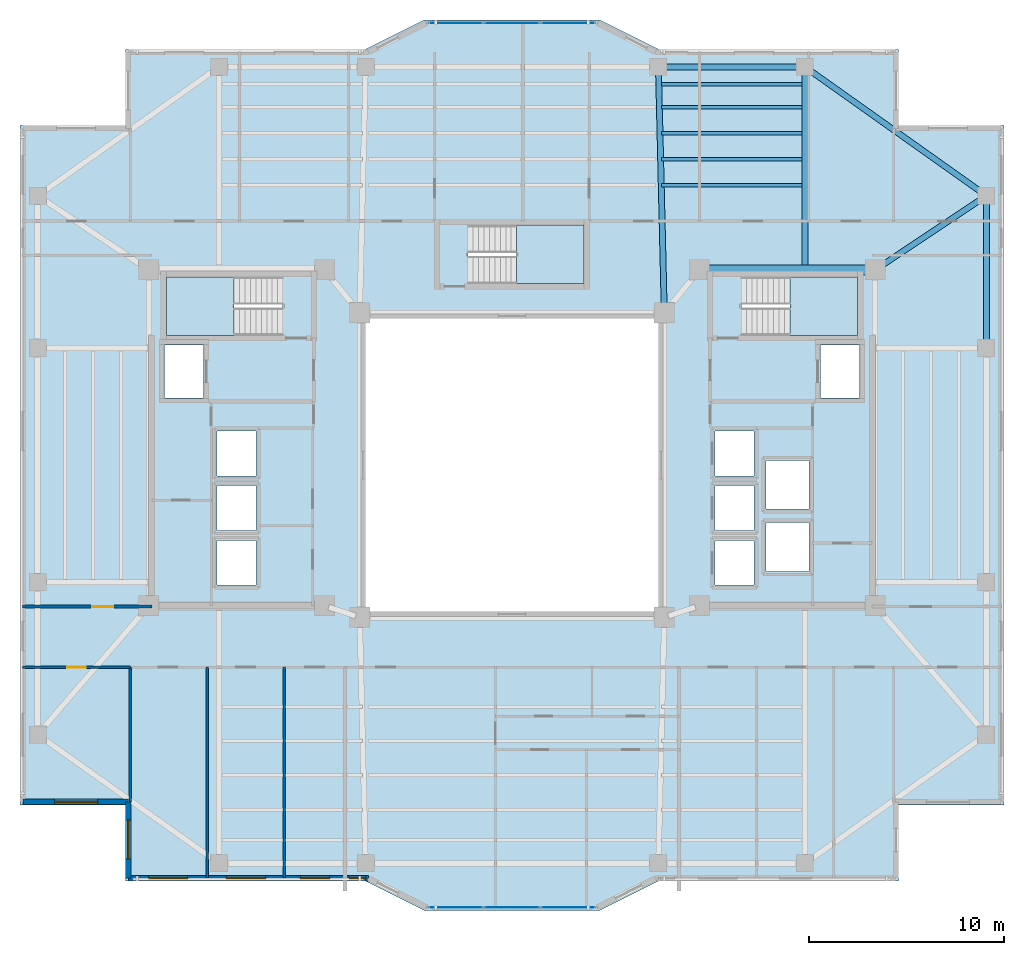
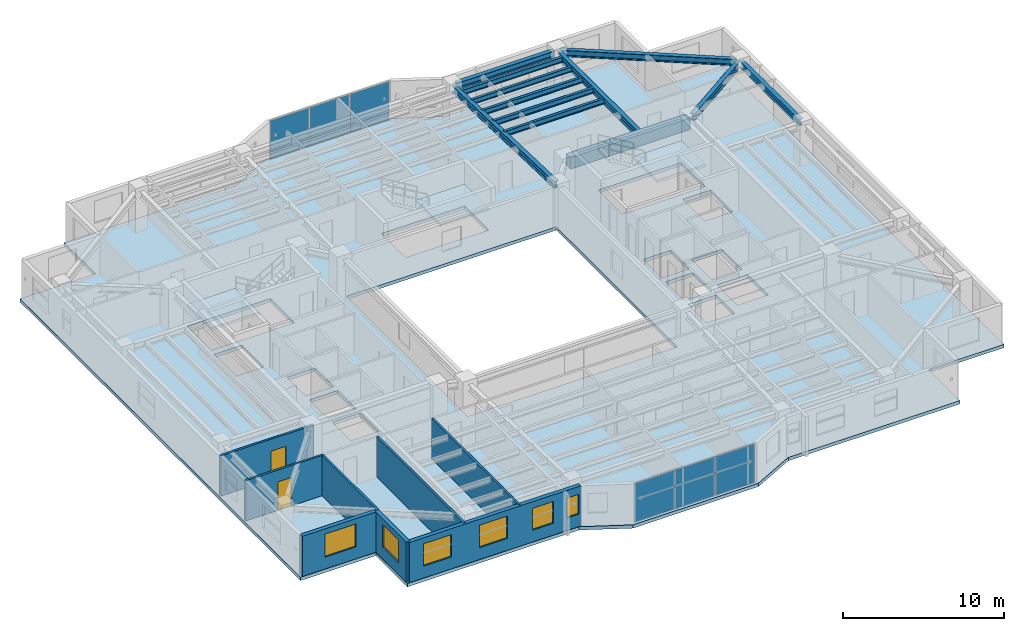
# One storey, part 5 of 15: 12 beams, 8 walls, 6 plates, 6 windows, 4 slabs, 2 doors, 8 openings, 5 elements without a shape of their own.
"""IFC4 building model written with IfcOpenShell, lengths in metres."""

from ifc_helpers import new_model, si_unit, direction, frame, frame_2d, origin, origin_2d, place, context, subcontext, project, spatial, polyline, rectangle, i_section, outline, extrude, material, layer, layer_set, material_profile, profile_set, type_object, element, fill, aggregate, save


model = new_model("IFC4")

# Units and contexts
model_context = context("Model", 3, precision=1e-05, world=origin(), true_north=direction((0.0, 1.0)))
body_context = subcontext(model_context, "Body", "Model", "MODEL_VIEW")
ifc_project = project(units=[si_unit("LENGTHUNIT", "METRE"), si_unit("AREAUNIT", "SQUARE_METRE"), si_unit("VOLUMEUNIT", "CUBIC_METRE"), si_unit("PLANEANGLEUNIT", "RADIAN"), si_unit("MASSUNIT", "GRAM", prefix="KILO")], contexts=[model_context])

# Site, building, storey
site_placement = place(None, origin())
site = spatial("IfcSite", under=ifc_project, at=site_placement, CompositionType="ELEMENT")
building_placement = place(site_placement, origin())
building = spatial("IfcBuilding", under=site, at=building_placement, Name="Tarnavaz Court Tower", CompositionType="ELEMENT")
storey_placement = place(building_placement, frame((0.0, 0.0, 169.449951171875)))
storey = spatial("IfcBuildingStorey", under=building, at=storey_placement, Name="L46", CompositionType="ELEMENT", Elevation=169.449951171875)

# Beams
ifc_material_1 = material(Name="Concrete C50/60", Category="concrete")
ifc_material_profile_1 = material_profile(ifc_material_1, rectangle(XDim=0.5, YDim=0.85009765625, at=origin_2d()), Name="RC 500X850")
ifc_profile_set_1 = profile_set([ifc_material_profile_1], Name="Concrete C50/60")
beam_type_1 = type_object("IfcBeamType", Name="BM-CB850", PredefinedType="LINTEL", material=ifc_profile_set_1)
beam_1_placement = place(storey_placement, frame((18.3798828125, 10.0, 2.625), z_axis=(-1.0, 0.0, 0.0), x_axis=(0.0, -1.0, 0.0)))
element("IfcBeam", 1, at=beam_1_placement, inside=storey, type_object=beam_type_1, Name="L46 Beam IN-CE-NO-CE-NI", PredefinedType="LINTEL", context=body_context, shape_type="SweptSolid", body=[
    extrude(rectangle(XDim=0.5, YDim=0.85009765625, at=origin_2d()), origin(), (0.0, 0.0, 1.0), 8.559814453125),
])
ifc_material_2 = material(Name="Steel S355", Category="steel")
ifc_material_profile_2 = material_profile(ifc_material_2, i_section(OverallWidth=0.300048828125, OverallDepth=0.5, WebThickness=0.014404296875, FlangeThickness=0.028076171875, FilletRadius=0.027099609375, at=origin_2d()), Name="HEB 500")
ifc_profile_set_2 = profile_set([ifc_material_profile_2], Name="Steel S355")
beam_type_2 = type_object("IfcBeamType", Name="BM-G-HEB500", PredefinedType="USERDEFINED", material=ifc_profile_set_2)
beam_2_placement = place(storey_placement, frame((7.794921875, 8.02001953125, 2.800048828125), z_axis=(-0.023824748444, 0.999716150395, 0.0), x_axis=(-0.999716150395, -0.023824748444, 0.0)))
element("IfcBeam", 2, at=beam_2_placement, inside=storey, type_object=beam_type_2, Name="L46 Beam RG-03", ObjectType="GIRDER", PredefinedType="USERDEFINED", context=body_context, shape_type="SweptSolid", body=[
    extrude(i_section(OverallWidth=0.300048828125, OverallDepth=0.5, WebThickness=0.014404296875, FlangeThickness=0.028076171875, FilletRadius=0.027099609375, at=origin_2d()), origin(), (0.0, 0.0, 1.0), 12.16357421875),
])
beam_3_placement = place(storey_placement, frame((15.0, 10.0400390625, 2.800048828125), z_axis=(0.0, 1.0, 0.0), x_axis=(-1.0, 0.0, 0.0)))
element("IfcBeam", 3, at=beam_3_placement, inside=storey, type_object=beam_type_2, Name="L46 Beam RG-04", ObjectType="GIRDER", PredefinedType="USERDEFINED", context=body_context, shape_type="SweptSolid", body=[
    extrude(i_section(OverallWidth=0.300048828125, OverallDepth=0.5, WebThickness=0.014404296875, FlangeThickness=0.028076171875, FilletRadius=0.027099609375, at=origin_2d()), origin(), (0.0, 0.0, 1.0), 10.139892578125),
])
beam_4_placement = place(storey_placement, frame((18.783203125, 10.1220703125, 2.800048828125), z_axis=(0.832044435051, 0.554708985056, 0.0), x_axis=(-0.554708985056, 0.832044435051, 0.0)))
element("IfcBeam", 4, at=beam_4_placement, inside=storey, type_object=beam_type_2, Name="L46 Beam RG-12", ObjectType="GIRDER", PredefinedType="USERDEFINED", context=body_context, shape_type="SweptSolid", body=[
    extrude(i_section(OverallWidth=0.300048828125, OverallDepth=0.5, WebThickness=0.014404296875, FlangeThickness=0.028076171875, FilletRadius=0.027099609375, at=origin_2d()), origin(), (0.0, 0.0, 1.0), 6.410400390625),
])
ifc_material_profile_3 = material_profile(ifc_material_2, i_section(OverallWidth=0.179931640625, OverallDepth=0.39990234375, WebThickness=0.008544921875, FlangeThickness=0.013427734375, FilletRadius=0.02099609375, at=origin_2d()), Name="IPE 400")
ifc_profile_set_3 = profile_set([ifc_material_profile_3], Name="Steel S355")
beam_type_3 = type_object("IfcBeamType", Name="BM-J-IPE400", PredefinedType="JOIST", material=ifc_profile_set_3)
for number, where, z_axis, x_axis, name in (
    (5, (7.64990234375, 14.33203125, 2.85009765625), (1.0, 0.0, 0.0), (0.0, 1.0, 0.0), "L46 Beam JN1-3"),
    (6, (7.64990234375, 15.6640625, 2.85009765625), (1.0, 0.0, 0.0), (0.0, 1.0, 0.0), "L46 Beam JN2-3"),
    (7, (7.64990234375, 16.99609375, 2.85009765625), (1.0, 0.0, 0.0), (0.0, 1.0, 0.0), "L46 Beam JN3-3"),
    (8, (7.64990234375, 18.327880859375, 2.85009765625), (1.0, 0.0, 0.0), (0.0, 1.0, 0.0), "L46 Beam JN4-3"),
    (9, (7.64990234375, 19.511962890625, 2.85009765625), (1.0, 0.0, 0.0), (0.0, 1.0, 0.0), "L46 Beam JN5-3"),
):
    element("IfcBeam", number, at=place(storey_placement, frame(where, z_axis=z_axis, x_axis=x_axis)), inside=storey, type_object=beam_type_3, Name=name, PredefinedType="JOIST", context=body_context, shape_type="SweptSolid", body=[
        extrude(i_section(OverallWidth=0.179931640625, OverallDepth=0.39990234375, WebThickness=0.008544921875, FlangeThickness=0.013427734375, FilletRadius=0.02099609375, at=origin_2d()), origin(), (0.0, 0.0, 1.0), 7.2001953125),
    ])
ifc_material_profile_4 = material_profile(ifc_material_2, i_section(OverallWidth=0.300048828125, OverallDepth=0.489990234375, WebThickness=0.011962890625, FlangeThickness=0.02294921875, FilletRadius=0.027099609375, at=origin_2d()), Name="HEA 500")
ifc_profile_set_4 = profile_set([ifc_material_profile_4], Name="Steel S355")
beam_type_4 = type_object("IfcBeamType", Name="BM-SP-HEA500", PredefinedType="SPANDREL", material=ifc_profile_set_4)
beam_5_placement = place(storey_placement, frame((7.719970703125, 20.39990234375, 2.804931640625), z_axis=(1.0, 0.0, 0.0), x_axis=(0.0, 1.0, 0.0)))
element("IfcBeam", 10, at=beam_5_placement, inside=storey, type_object=beam_type_4, Name="L46 Beam PR-PN-3-PN-4", PredefinedType="SPANDREL", context=body_context, shape_type="SweptSolid", body=[
    extrude(i_section(OverallWidth=0.300048828125, OverallDepth=0.489990234375, WebThickness=0.011962890625, FlangeThickness=0.02294921875, FilletRadius=0.027099609375, at=origin_2d()), origin(), (0.0, 0.0, 1.0), 7.06005859375),
])
beam_6_placement = place(storey_placement, frame((24.300048828125, 6.219970703125, 2.804931640625), z_axis=(0.0, 1.0, 0.0), x_axis=(-1.0, 0.0, 0.0)))
element("IfcBeam", 11, at=beam_6_placement, inside=storey, type_object=beam_type_4, Name="L46 Beam PR-PE-3-PE-4", PredefinedType="SPANDREL", context=body_context, shape_type="SweptSolid", body=[
    extrude(i_section(OverallWidth=0.300048828125, OverallDepth=0.489990234375, WebThickness=0.011962890625, FlangeThickness=0.02294921875, FilletRadius=0.027099609375, at=origin_2d()), origin(), (0.0, 0.0, 1.0), 7.360107421875),
])
beam_7_placement = place(storey_placement, frame((15.179443359375, 20.272705078125, 2.804931640625), z_axis=(0.815502059396, -0.57875417158, 0.0), x_axis=(0.57875417158, 0.815502059396, 0.0)))
element("IfcBeam", 12, at=beam_7_placement, inside=storey, type_object=beam_type_4, Name="L46 Beam PR-PN-4-PE-4", PredefinedType="SPANDREL", context=body_context, shape_type="SweptSolid", body=[
    extrude(i_section(OverallWidth=0.300048828125, OverallDepth=0.489990234375, WebThickness=0.011962890625, FlangeThickness=0.02294921875, FilletRadius=0.027099609375, at=origin_2d()), origin(), (0.0, 0.0, 1.0), 10.964111328125),
])

# Curtain wall, plates
ifc_material_3 = material(Name="Anodised Aluminium 6063-T6 and Solar Low-E Glazing", Category="aluminium")
ifc_layer_1 = layer(ifc_material_3, 0.159912109375)
ifc_layer_set_1 = layer_set([ifc_layer_1], Name="Anodised Aluminium 6063-T6 and Solar Low-E Glazing")
curtain_wall_type = type_object("IfcCurtainWallType", Name="CW-SYS-03", PredefinedType="NOTDEFINED", material=ifc_layer_set_1)
curtain_wall_1_placement = place(storey_placement, origin())
curtain_wall_1 = element("IfcCurtainWall", 13, at=curtain_wall_1_placement, inside=storey, type_object=curtain_wall_type, Name="L46 Iwan Prow Curtain Wall 7", PredefinedType="NOTDEFINED")
ifc_material_4 = material(Name="Double-Glazed Solar Low-E Glass", Category="glass")
ifc_layer_2 = layer(ifc_material_4, 0.028076171875)
ifc_layer_set_2 = layer_set([ifc_layer_2], Name="Double-Glazed Solar Low-E Glass")
plate_type = type_object("IfcPlateType", Name="CW-PAN-GLZ28", PredefinedType="CURTAIN_PANEL", material=ifc_layer_set_2)
plate_1_placement = place(storey_placement, frame((-2.88134765625, 22.64990234375, 0.065185546875), z_axis=(0.0, 0.0, 1.0), x_axis=(1.0, 0.0, 0.0)))
plate_1 = element("IfcPlate", 14, at=plate_1_placement, type_object=plate_type, Name="CW panel 1.1", PredefinedType="CURTAIN_PANEL", context=body_context, shape_type="SweptSolid", body=[
    extrude(rectangle(XDim=2.78759765625, YDim=0.028076171875, at=origin_2d()), origin(), (0.0, 0.0, 1.0), 2.919921875),
])
plate_2_placement = place(storey_placement, frame((0.0, 22.64990234375, 0.065185546875), z_axis=(0.0, 0.0, 1.0), x_axis=(1.0, 0.0, 0.0)))
plate_2 = element("IfcPlate", 15, at=plate_2_placement, type_object=plate_type, Name="CW panel 2.1", PredefinedType="CURTAIN_PANEL", context=body_context, shape_type="SweptSolid", body=[
    extrude(rectangle(XDim=2.824951171875, YDim=0.028076171875, at=origin_2d()), origin(), (0.0, 0.0, 1.0), 2.919921875),
])
plate_3_placement = place(storey_placement, frame((2.88134765625, 22.64990234375, 0.065185546875), z_axis=(0.0, 0.0, 1.0), x_axis=(1.0, 0.0, 0.0)))
plate_3 = element("IfcPlate", 16, at=plate_3_placement, type_object=plate_type, Name="CW panel 3.1", PredefinedType="CURTAIN_PANEL", context=body_context, shape_type="SweptSolid", body=[
    extrude(rectangle(XDim=2.78759765625, YDim=0.028076171875, at=origin_2d()), origin(), (0.0, 0.0, 1.0), 2.919921875),
])
aggregate(curtain_wall_1, [plate_1, plate_2, plate_3])

curtain_wall_2_placement = place(storey_placement, origin())
curtain_wall_2 = element("IfcCurtainWall", 17, at=curtain_wall_2_placement, inside=storey, type_object=curtain_wall_type, Name="L46 Iwan Prow Curtain Wall 17", PredefinedType="NOTDEFINED")
plate_4_placement = place(storey_placement, frame((2.88134765625, -22.64990234375, 0.065185546875), z_axis=(0.0, 0.0, 1.0), x_axis=(-1.0, 0.0, 0.0)))
plate_4 = element("IfcPlate", 18, at=plate_4_placement, type_object=plate_type, Name="CW panel 1.1", PredefinedType="CURTAIN_PANEL", context=body_context, shape_type="SweptSolid", body=[
    extrude(rectangle(XDim=2.78759765625, YDim=0.028076171875, at=origin_2d()), origin(), (0.0, 0.0, 1.0), 2.919921875),
])
plate_5_placement = place(storey_placement, frame((0.0, -22.64990234375, 0.065185546875), z_axis=(0.0, 0.0, 1.0), x_axis=(-1.0, 0.0, 0.0)))
plate_5 = element("IfcPlate", 19, at=plate_5_placement, type_object=plate_type, Name="CW panel 2.1", PredefinedType="CURTAIN_PANEL", context=body_context, shape_type="SweptSolid", body=[
    extrude(rectangle(XDim=2.824951171875, YDim=0.028076171875, at=origin_2d()), origin(), (0.0, 0.0, 1.0), 2.919921875),
])
plate_6_placement = place(storey_placement, frame((-2.88134765625, -22.64990234375, 0.065185546875), z_axis=(0.0, 0.0, 1.0), x_axis=(-1.0, 0.0, 0.0)))
plate_6 = element("IfcPlate", 20, at=plate_6_placement, type_object=plate_type, Name="CW panel 3.1", PredefinedType="CURTAIN_PANEL", context=body_context, shape_type="SweptSolid", body=[
    extrude(rectangle(XDim=2.78759765625, YDim=0.028076171875, at=origin_2d()), origin(), (0.0, 0.0, 1.0), 2.919921875),
])
aggregate(curtain_wall_2, [plate_4, plate_5, plate_6])

# Stair, slab
ifc_material_5 = material(Name="Concrete C40/50", Category="concrete")
stair_type = type_object("IfcStairType", Name="ST-TWR-20R", PredefinedType="HALF_TURN_STAIR", material=ifc_material_5)
stair_1_placement = place(storey_placement, origin())
stair_1 = element("IfcStair", 21, at=stair_1_placement, inside=storey, type_object=stair_type, Name="L46 West Core Pressurized Exit Stair ST-W1", PredefinedType="HALF_TURN_STAIR")
ifc_layer_3 = layer(ifc_material_5, 0.199951171875)
ifc_layer_set_3 = layer_set([ifc_layer_3], Name="Concrete C40/50")
slab_type_1 = type_object("IfcSlabType", Name="SL-LAND-200", PredefinedType="LANDING", material=ifc_layer_set_3)
slab_1_placement = place(storey_placement, frame((0.0, 0.0, 1.47509765625)))
slab_1 = element("IfcSlab", 22, at=slab_1_placement, type_object=slab_type_1, Name="ST-W1 landing 1", PredefinedType="LANDING", context=body_context, shape_type="SweptSolid", body=[
    extrude(outline(polyline([(-14.239990234375, 9.639892578125), (-17.699951171875, 9.639892578125), (-17.699951171875, 6.64990234375), (-14.239990234375, 6.64990234375), (-14.239990234375, 9.639892578125)])), origin(), (0.0, 0.0, 1.0), 0.199951171875),
])
aggregate(stair_1, [slab_1])

stair_2_placement = place(storey_placement, origin())
stair_2 = element("IfcStair", 23, at=stair_2_placement, inside=storey, type_object=stair_type, Name="L46 East Core Pressurized Exit Stair ST-E1", PredefinedType="HALF_TURN_STAIR")
slab_2_placement = place(storey_placement, frame((0.0, 0.0, 1.47509765625)))
slab_2 = element("IfcSlab", 24, at=slab_2_placement, type_object=slab_type_1, Name="ST-E1 landing 1", PredefinedType="LANDING", context=body_context, shape_type="SweptSolid", body=[
    extrude(outline(polyline([(14.239990234375, 6.64990234375), (17.699951171875, 6.64990234375), (17.699951171875, 9.639892578125), (14.239990234375, 9.639892578125), (14.239990234375, 6.64990234375)])), origin(), (0.0, 0.0, 1.0), 0.199951171875),
])
aggregate(stair_2, [slab_2])

stair_3_placement = place(storey_placement, origin())
stair_3 = element("IfcStair", 25, at=stair_3_placement, inside=storey, type_object=stair_type, Name="L46 North Ring Pressurized Exit Stair ST-N1", PredefinedType="HALF_TURN_STAIR")
slab_3_placement = place(storey_placement, frame((0.0, 0.0, 1.47509765625)))
slab_3 = element("IfcSlab", 26, at=slab_3_placement, type_object=slab_type_1, Name="ST-N1 landing 1", PredefinedType="LANDING", context=body_context, shape_type="SweptSolid", body=[
    extrude(outline(polyline([(0.239990234375, 9.300048828125), (3.699951171875, 9.300048828125), (3.699951171875, 12.2900390625), (0.239990234375, 12.2900390625), (0.239990234375, 9.300048828125)])), origin(), (0.0, 0.0, 1.0), 0.199951171875),
])
aggregate(stair_3, [slab_3])

# Slab
ifc_layer_4 = layer(ifc_material_5, 0.25)
ifc_layer_set_4 = layer_set([ifc_layer_4], Name="Concrete C40/50")
slab_type_2 = type_object("IfcSlabType", Name="SL-RES-250", PredefinedType="FLOOR", material=ifc_layer_set_4)
slab_4_placement = place(storey_placement, frame((0.0, 0.0, -0.25)))
element("IfcSlab", 27, at=slab_4_placement, inside=storey, type_object=slab_type_2, Name="L46 Structural Floor Slab", PredefinedType="FLOOR", context=body_context, shape_type="SweptSolid", body=[
    extrude(outline(polyline([(-19.800048828125, -21.300048828125), (-7.5, -21.300048828125), (-4.5, -22.800048828125), (4.5, -22.800048828125), (7.5, -21.300048828125), (19.800048828125, -21.300048828125), (19.800048828125, -17.39990234375), (25.199951171875, -17.39990234375), (25.199951171875, 17.39990234375), (19.800048828125, 17.39990234375), (19.800048828125, 21.300048828125), (7.5, 21.300048828125), (4.5, 22.800048828125), (-4.5, 22.800048828125), (-7.5, 21.300048828125), (-19.800048828125, 21.300048828125), (-19.800048828125, 17.39990234375), (-25.199951171875, 17.39990234375), (-25.199951171875, -17.39990234375), (-19.800048828125, -17.39990234375), (-19.800048828125, -21.300048828125)]), holes=[polyline([(-7.5, -7.5), (7.5, -7.5), (7.5, 7.5), (-7.5, 7.5), (-7.5, -7.5)]), polyline([(-11.7451171875, 9.639892578125), (-17.699951171875, 9.639892578125), (-17.699951171875, 6.64990234375), (-11.7451171875, 6.64990234375), (-11.7451171875, 9.639892578125)]), polyline([(11.7451171875, 6.64990234375), (17.699951171875, 6.64990234375), (17.699951171875, 9.639892578125), (11.7451171875, 9.639892578125), (11.7451171875, 6.64990234375)]), polyline([(-2.2548828125, 9.300048828125), (3.699951171875, 9.300048828125), (3.699951171875, 12.2900390625), (-2.2548828125, 12.2900390625), (-2.2548828125, 9.300048828125)]), polyline([(-17.800048828125, 3.449951171875), (-15.800048828125, 3.449951171875), (-15.800048828125, 6.14990234375), (-17.800048828125, 6.14990234375), (-17.800048828125, 3.449951171875)]), polyline([(-15.10009765625, -6.14990234375), (-13.10009765625, -6.14990234375), (-13.10009765625, -3.85009765625), (-15.10009765625, -3.85009765625), (-15.10009765625, -6.14990234375)]), polyline([(-15.10009765625, -3.35009765625), (-13.10009765625, -3.35009765625), (-13.10009765625, -1.050048828125), (-15.10009765625, -1.050048828125), (-15.10009765625, -3.35009765625)]), polyline([(-15.10009765625, -0.550048828125), (-13.10009765625, -0.550048828125), (-13.10009765625, 1.75), (-15.10009765625, 1.75), (-15.10009765625, -0.550048828125)]), polyline([(15.800048828125, 3.449951171875), (17.800048828125, 3.449951171875), (17.800048828125, 6.14990234375), (15.800048828125, 6.14990234375), (15.800048828125, 3.449951171875)]), polyline([(10.39990234375, -6.14990234375), (12.39990234375, -6.14990234375), (12.39990234375, -3.85009765625), (10.39990234375, -3.85009765625), (10.39990234375, -6.14990234375)]), polyline([(10.39990234375, -3.35009765625), (12.39990234375, -3.35009765625), (12.39990234375, -1.050048828125), (10.39990234375, -1.050048828125), (10.39990234375, -3.35009765625)]), polyline([(10.39990234375, -0.550048828125), (12.39990234375, -0.550048828125), (12.39990234375, 1.75), (10.39990234375, 1.75), (10.39990234375, -0.550048828125)]), polyline([(13.0, -5.449951171875), (15.199951171875, -5.449951171875), (15.199951171875, -2.949951171875), (13.0, -2.949951171875), (13.0, -5.449951171875)]), polyline([(13.0, -2.25), (15.199951171875, -2.25), (15.199951171875, 0.25), (13.0, 0.25), (13.0, -2.25)])]), origin(), (0.0, 0.0, 1.0), 0.25),
])

# Wall, opening, window
ifc_material_6 = material(Name="Precast Concrete C40/50", Category="concrete")
ifc_layer_5 = layer(ifc_material_6, 0.280029296875)
ifc_layer_set_5 = layer_set([ifc_layer_5], Name="Precast Concrete C40/50")
wall_type_1 = type_object("IfcWallType", Name="WL-EXT-280", PredefinedType="SOLIDWALL", material=ifc_layer_set_5)
wall_1_placement = place(storey_placement, frame((-19.64990234375, -17.25, 0.0), z_axis=(0.0, 0.0, 1.0), x_axis=(-1.0, 0.0, 0.0)))
wall_1 = element("IfcWall", 28, at=wall_1_placement, inside=storey, type_object=wall_type_1, Name="L46 Exterior Terracotta Facade Wall 01", PredefinedType="SOLIDWALL", context=body_context, shape_type="SweptSolid", body=[
    extrude(rectangle(XDim=5.400146484375, YDim=0.280029296875, at=frame_2d((2.7001953125, 0.0))), origin(), (0.0, 0.0, 1.0), 3.050048828125),
])
opening_1_placement = place(wall_1_placement, frame((1.574951171875, 0.0, 0.89990234375)))
opening_1 = element("IfcOpeningElement", 29, at=opening_1_placement, cuts=wall_1, Name="Opening W07", PredefinedType="OPENING", context=body_context, shape_type="SweptSolid", body=[
    extrude(rectangle(XDim=2.199951171875, YDim=1.75, at=frame_2d((1.10009765625, 0.875))), frame((0.0, 0.14990234375, 0.0), z_axis=(0.0, -1.0, 0.0), x_axis=(1.0, 0.0, 0.0)), (0.0, 0.0, 1.0), 0.300048828125),
])
window_type_1 = type_object("IfcWindowType", Name="WN-APT-2200", PartitioningType="TRIPLE_PANEL_VERTICAL", PredefinedType="WINDOW", material=ifc_material_4)
window_1_placement = place(opening_1_placement, origin())
window_1 = element("IfcWindow", 30, at=window_1_placement, inside=storey, type_object=window_type_1, Name="L46 South-West Corner Reading Room Window", OverallHeight=1.75, OverallWidth=2.199951171875, PartitioningType="SINGLE_PANEL", PredefinedType="WINDOW", context=body_context, shape_type="SweptSolid", body=[
    extrude(rectangle(XDim=2.199951171875, YDim=1.75, at=frame_2d((1.10009765625, 0.875))), frame((0.0, 0.030029296875, 0.0), z_axis=(0.0, -1.0, 0.0), x_axis=(1.0, 0.0, 0.0)), (0.0, 0.0, 1.0), 0.06005859375),
])
fill(opening_1, window_1)

# Wall, openings, windows
wall_2_placement = place(storey_placement, frame((-7.35009765625, -21.14990234375, 0.0), z_axis=(0.0, 0.0, 1.0), x_axis=(-1.0, 0.0, 0.0)))
wall_2 = element("IfcWall", 31, at=wall_2_placement, inside=storey, type_object=wall_type_1, Name="L46 Exterior Terracotta Facade Wall 19", PredefinedType="SOLIDWALL", context=body_context, shape_type="SweptSolid", body=[
    extrude(rectangle(XDim=12.2998046875, YDim=0.280029296875, at=frame_2d((6.14990234375, 0.0))), origin(), (0.0, 0.0, 1.0), 3.050048828125),
])
opening_2_placement = place(wall_2_placement, frame((0.147216796875, 0.0, 0.949951171875)))
opening_2 = element("IfcOpeningElement", 32, at=opening_2_placement, cuts=wall_2, Name="Opening W15", PredefinedType="OPENING", context=body_context, shape_type="SweptSolid", body=[
    extrude(rectangle(XDim=0.85009765625, YDim=1.5, at=frame_2d((0.425048828125, 0.75))), frame((0.0, 0.14990234375, 0.0), z_axis=(0.0, -1.0, 0.0), x_axis=(1.0, 0.0, 0.0)), (0.0, 0.0, 1.0), 0.300048828125),
])
opening_3_placement = place(wall_2_placement, frame((1.986083984375, 0.0, 0.89990234375)))
opening_3 = element("IfcOpeningElement", 33, at=opening_3_placement, cuts=wall_2, Name="Opening W03", PredefinedType="OPENING", context=body_context, shape_type="SweptSolid", body=[
    extrude(rectangle(XDim=1.5, YDim=1.64990234375, at=frame_2d((0.75, 0.824951171875))), frame((0.0, 0.14990234375, 0.0), z_axis=(0.0, -1.0, 0.0), x_axis=(1.0, 0.0, 0.0)), (0.0, 0.0, 1.0), 0.300048828125),
])
opening_4_placement = place(wall_2_placement, frame((5.275390625, 0.0, 0.89990234375)))
opening_4 = element("IfcOpeningElement", 34, at=opening_4_placement, cuts=wall_2, Name="Opening W08", PredefinedType="OPENING", context=body_context, shape_type="SweptSolid", body=[
    extrude(rectangle(XDim=2.0, YDim=1.699951171875, at=frame_2d((1.0, 0.85009765625))), frame((0.0, 0.14990234375, 0.0), z_axis=(0.0, -1.0, 0.0), x_axis=(1.0, 0.0, 0.0)), (0.0, 0.0, 1.0), 0.300048828125),
])
opening_5_placement = place(wall_2_placement, frame((9.2666015625, 0.0, 0.89990234375)))
opening_5 = element("IfcOpeningElement", 35, at=opening_5_placement, cuts=wall_2, Name="Opening W08", PredefinedType="OPENING", context=body_context, shape_type="SweptSolid", body=[
    extrude(rectangle(XDim=2.0, YDim=1.699951171875, at=frame_2d((1.0, 0.85009765625))), frame((0.0, 0.14990234375, 0.0), z_axis=(0.0, -1.0, 0.0), x_axis=(1.0, 0.0, 0.0)), (0.0, 0.0, 1.0), 0.300048828125),
])
window_type_2 = type_object("IfcWindowType", Name="WN-APT-1500", PartitioningType="DOUBLE_PANEL_VERTICAL", PredefinedType="WINDOW", material=ifc_material_4)
window_2_placement = place(opening_3_placement, origin())
window_2 = element("IfcWindow", 36, at=window_2_placement, inside=storey, type_object=window_type_2, Name="L46 Shared Community Tea Pantry Window", OverallHeight=1.64990234375, OverallWidth=1.5, PartitioningType="SINGLE_PANEL", PredefinedType="WINDOW", context=body_context, shape_type="SweptSolid", body=[
    extrude(rectangle(XDim=1.5, YDim=1.64990234375, at=frame_2d((0.75, 0.824951171875))), frame((0.0, 0.030029296875, 0.0), z_axis=(0.0, -1.0, 0.0), x_axis=(1.0, 0.0, 0.0)), (0.0, 0.0, 1.0), 0.06005859375),
])
fill(opening_3, window_2)
window_type_3 = type_object("IfcWindowType", Name="WN-APT-2000", PartitioningType="DOUBLE_PANEL_VERTICAL", PredefinedType="WINDOW", material=ifc_material_4)
window_3_placement = place(opening_4_placement, origin())
window_3 = element("IfcWindow", 37, at=window_3_placement, inside=storey, type_object=window_type_3, Name="L46 Children Playroom and Daycare Window", OverallHeight=1.699951171875, OverallWidth=2.0, PartitioningType="SINGLE_PANEL", PredefinedType="WINDOW", context=body_context, shape_type="SweptSolid", body=[
    extrude(rectangle(XDim=2.0, YDim=1.699951171875, at=frame_2d((1.0, 0.85009765625))), frame((0.0, 0.030029296875, 0.0), z_axis=(0.0, -1.0, 0.0), x_axis=(1.0, 0.0, 0.0)), (0.0, 0.0, 1.0), 0.06005859375),
])
fill(opening_4, window_3)
window_4_placement = place(opening_5_placement, origin())
window_4 = element("IfcWindow", 38, at=window_4_placement, inside=storey, type_object=window_type_3, Name="L46 Resident Fitness and Yoga Studio Window", OverallHeight=1.699951171875, OverallWidth=2.0, PartitioningType="SINGLE_PANEL", PredefinedType="WINDOW", context=body_context, shape_type="SweptSolid", body=[
    extrude(rectangle(XDim=2.0, YDim=1.699951171875, at=frame_2d((1.0, 0.85009765625))), frame((0.0, 0.030029296875, 0.0), z_axis=(0.0, -1.0, 0.0), x_axis=(1.0, 0.0, 0.0)), (0.0, 0.0, 1.0), 0.06005859375),
])
fill(opening_5, window_4)
window_type_4 = type_object("IfcWindowType", Name="WN-APT-850", PartitioningType="SINGLE_PANEL", PredefinedType="WINDOW", material=ifc_material_4)
window_5_placement = place(opening_2_placement, origin())
window_5 = element("IfcWindow", 39, at=window_5_placement, inside=storey, type_object=window_type_4, Name="L46 Flat 01 Living and Dining Room Window", OverallHeight=1.5, OverallWidth=0.85009765625, PartitioningType="SINGLE_PANEL", PredefinedType="WINDOW", context=body_context, shape_type="SweptSolid", body=[
    extrude(rectangle(XDim=0.85009765625, YDim=1.5, at=frame_2d((0.425048828125, 0.75))), frame((0.0, 0.030029296875, 0.0), z_axis=(0.0, -1.0, 0.0), x_axis=(1.0, 0.0, 0.0)), (0.0, 0.0, 1.0), 0.06005859375),
])
fill(opening_2, window_5)

# Wall, opening, window
wall_3_placement = place(storey_placement, frame((-19.64990234375, -21.14990234375, 0.0), z_axis=(0.0, 0.0, 1.0), x_axis=(0.0, 1.0, 0.0)))
wall_3 = element("IfcWall", 40, at=wall_3_placement, inside=storey, type_object=wall_type_1, Name="L46 Exterior Terracotta Facade Wall 20", PredefinedType="SOLIDWALL", context=body_context, shape_type="SweptSolid", body=[
    extrude(rectangle(XDim=3.89990234375, YDim=0.280029296875, at=frame_2d((1.949951171875, 0.0))), origin(), (0.0, 0.0, 1.0), 3.050048828125),
])
opening_6_placement = place(wall_3_placement, frame((0.9677734375, 0.0, 0.89990234375)))
opening_6 = element("IfcOpeningElement", 41, at=opening_6_placement, cuts=wall_3, Name="Opening W08", PredefinedType="OPENING", context=body_context, shape_type="SweptSolid", body=[
    extrude(rectangle(XDim=2.0, YDim=1.699951171875, at=frame_2d((1.0, 0.85009765625))), frame((0.0, 0.14990234375, 0.0), z_axis=(0.0, -1.0, 0.0), x_axis=(1.0, 0.0, 0.0)), (0.0, 0.0, 1.0), 0.300048828125),
])
window_6_placement = place(opening_6_placement, origin())
window_6 = element("IfcWindow", 42, at=window_6_placement, inside=storey, type_object=window_type_3, Name="L46 Resident Fitness and Yoga Studio Window", OverallHeight=1.699951171875, OverallWidth=2.0, PartitioningType="SINGLE_PANEL", PredefinedType="WINDOW", context=body_context, shape_type="SweptSolid", body=[
    extrude(rectangle(XDim=2.0, YDim=1.699951171875, at=frame_2d((1.0, 0.85009765625))), frame((0.0, 0.030029296875, 0.0), z_axis=(0.0, -1.0, 0.0), x_axis=(1.0, 0.0, 0.0)), (0.0, 0.0, 1.0), 0.06005859375),
])
fill(opening_6, window_6)

# Wall, opening, door
ifc_material_7 = material(Name="Gypsum Fire-Board on Acoustic Metal Stud", Category="masonry")
ifc_layer_6 = layer(ifc_material_7, 0.14990234375)
ifc_layer_set_6 = layer_set([ifc_layer_6], Name="Gypsum Fire-Board on Acoustic Metal Stud")
wall_type_2 = type_object("IfcWallType", Name="WL-FIRE-150", PredefinedType="PARTITIONING", material=ifc_layer_set_6)
wall_4_placement = place(storey_placement, frame((-25.080078125, -7.25, 0.0), z_axis=(0.0, 0.0, 1.0), x_axis=(1.0, 0.0, 0.0)))
wall_4 = element("IfcWall", 43, at=wall_4_placement, inside=storey, type_object=wall_type_2, Name="L46 Interior Partition 095", PredefinedType="PARTITIONING", context=body_context, shape_type="SweptSolid", body=[
    extrude(rectangle(XDim=6.630126953125, YDim=0.14990234375, at=frame_2d((3.31494140625, 0.0))), origin(), (0.0, 0.0, 1.0), 3.050048828125),
])
opening_7_placement = place(wall_4_placement, frame((3.580078125, 0.0, 0.0)))
opening_7 = element("IfcOpeningElement", 44, at=opening_7_placement, cuts=wall_4, Name="Opening D12", PredefinedType="OPENING", context=body_context, shape_type="SweptSolid", body=[
    extrude(rectangle(XDim=1.080078125, YDim=2.14990234375, at=frame_2d((0.5400390625, 1.074951171875))), frame((0.0, 0.0849609375, 0.0), z_axis=(0.0, -1.0, 0.0), x_axis=(1.0, 0.0, 0.0)), (0.0, 0.0, 1.0), 0.169921875),
])
ifc_material_8 = material(Name="Engineered Oak Timber", Category="wood")
door_type_1 = type_object("IfcDoorType", Name="DR-INT-1100", OperationType="NOTDEFINED", PredefinedType="DOOR", material=ifc_material_8)
door_1_placement = place(opening_7_placement, origin())
door_1 = element("IfcDoor", 45, at=door_1_placement, inside=storey, type_object=door_type_1, Name="L46 West Study Gallery Door", OperationType="SINGLE_SWING_LEFT", OverallHeight=2.14990234375, OverallWidth=1.080078125, PredefinedType="DOOR", context=body_context, shape_type="SweptSolid", body=[
    extrude(rectangle(XDim=1.080078125, YDim=2.14990234375, at=frame_2d((0.5400390625, 1.074951171875))), frame((0.0, 0.02490234375, 0.0), z_axis=(0.0, -1.0, 0.0), x_axis=(1.0, 0.0, 0.0)), (0.0, 0.0, 1.0), 0.050048828125),
])
fill(opening_7, door_1)

wall_5_placement = place(storey_placement, frame((-25.080078125, -10.35009765625, 0.0), z_axis=(0.0, 0.0, 1.0), x_axis=(1.0, 0.0, 0.0)))
wall_5 = element("IfcWall", 46, at=wall_5_placement, inside=storey, type_object=wall_type_2, Name="L46 Interior Partition 105", PredefinedType="PARTITIONING", context=body_context, shape_type="SweptSolid", body=[
    extrude(rectangle(XDim=5.530029296875, YDim=0.14990234375, at=frame_2d((2.76513671875, 0.0))), origin(), (0.0, 0.0, 1.0), 3.050048828125),
])
opening_8_placement = place(wall_5_placement, frame((2.2900390625, 0.0, 0.0)))
opening_8 = element("IfcOpeningElement", 47, at=opening_8_placement, cuts=wall_5, Name="Opening D13", PredefinedType="OPENING", context=body_context, shape_type="SweptSolid", body=[
    extrude(rectangle(XDim=0.949951171875, YDim=2.14990234375, at=frame_2d((0.47509765625, 1.074951171875))), frame((0.0, 0.0849609375, 0.0), z_axis=(0.0, -1.0, 0.0), x_axis=(1.0, 0.0, 0.0)), (0.0, 0.0, 1.0), 0.169921875),
])
door_type_2 = type_object("IfcDoorType", Name="DR-INT-950", OperationType="NOTDEFINED", PredefinedType="DOOR", material=ifc_material_8)
door_2_placement = place(opening_8_placement, origin())
door_2 = element("IfcDoor", 48, at=door_2_placement, inside=storey, type_object=door_type_2, Name="L46 SW Reading Room Door", OperationType="SINGLE_SWING_LEFT", OverallHeight=2.14990234375, OverallWidth=0.949951171875, PredefinedType="DOOR", context=body_context, shape_type="SweptSolid", body=[
    extrude(rectangle(XDim=0.949951171875, YDim=2.14990234375, at=frame_2d((0.47509765625, 1.074951171875))), frame((0.0, 0.02490234375, 0.0), z_axis=(0.0, -1.0, 0.0), x_axis=(1.0, 0.0, 0.0)), (0.0, 0.0, 1.0), 0.050048828125),
])
fill(opening_8, door_2)

# Walls
ifc_material_9 = material(Name="Gypsum Plasterboard Acoustic Partition", Category="masonry")
ifc_layer_7 = layer(ifc_material_9, 0.139892578125)
ifc_layer_set_7 = layer_set([ifc_layer_7], Name="Gypsum Plasterboard Acoustic Partition")
wall_type_3 = type_object("IfcWallType", Name="WL-PART-150", PredefinedType="PARTITIONING", material=ifc_layer_set_7)
for number, where, z_axis, x_axis, name in (
    (49, (-15.60791015625, -21.14990234375, 0.0), (0.0, 0.0, 1.0), (0.0, 1.0, 0.0), "L46 Interior Partition 082"),
    (50, (-11.666015625, -21.14990234375, 0.0), (0.0, 0.0, 1.0), (0.0, 1.0, 0.0), "L46 Interior Partition 083"),
):
    element("IfcWall", number, at=place(storey_placement, frame(where, z_axis=z_axis, x_axis=x_axis)), inside=storey, type_object=wall_type_3, Name=name, PredefinedType="PARTITIONING", context=body_context, shape_type="SweptSolid", body=[
        extrude(rectangle(XDim=10.7998046875, YDim=0.139892578125, at=frame_2d((5.39990234375, 0.0))), origin(), (0.0, 0.0, 1.0), 3.050048828125),
    ])
wall_6_placement = place(storey_placement, frame((-19.550048828125, -17.25, 0.0), z_axis=(0.0, 0.0, 1.0), x_axis=(0.0, 1.0, 0.0)))
element("IfcWall", 51, at=wall_6_placement, inside=storey, type_object=wall_type_3, Name="L46 Interior Partition 099", PredefinedType="PARTITIONING", context=body_context, shape_type="SweptSolid", body=[
    extrude(rectangle(XDim=6.89990234375, YDim=0.139892578125, at=frame_2d((3.449951171875, 0.0))), origin(), (0.0, 0.0, 1.0), 3.050048828125),
])

save(model, "model.ifc")
